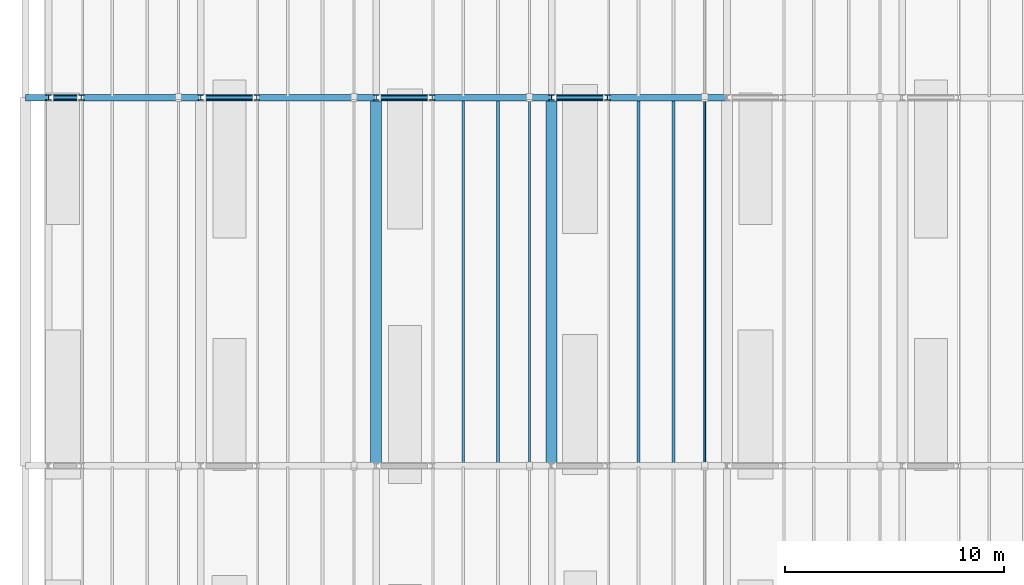
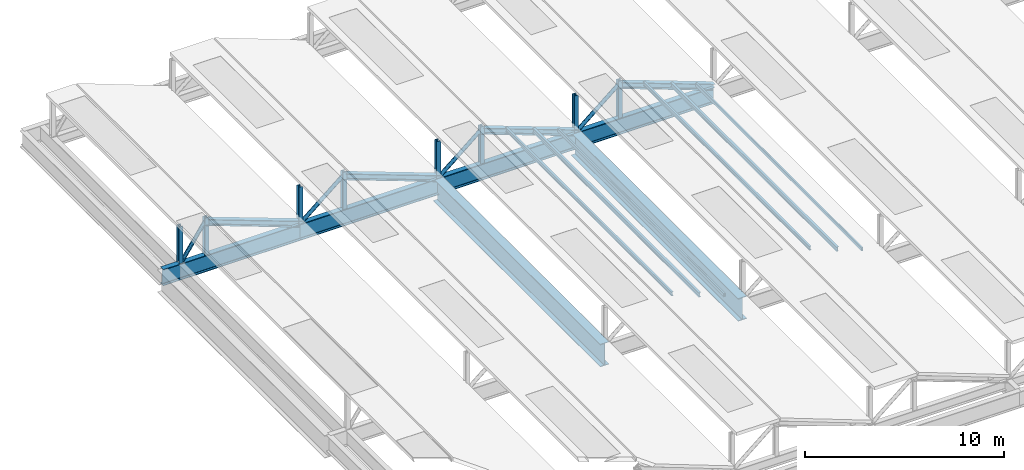
# One storey, part 3 of 14: 22 members, 6 beams.
"""IFC4 building model written with IfcOpenShell, lengths in metres."""

from ifc_helpers import new_model, si_unit, direction, frame, origin, origin_2d, place, context, subcontext, project, spatial, hollow_rectangle, hollow_circle, i_section, extrude, material, material_profile, profile_set, type_object, element, save


model = new_model("IFC4")

# Units and contexts
model_context = context("Model", 3, precision=1e-05, world=origin(), true_north=direction((0.0, 1.0)))
body_context = subcontext(model_context, "Body", "Model", "MODEL_VIEW")
ifc_project = project(units=[si_unit("LENGTHUNIT", "METRE"), si_unit("AREAUNIT", "SQUARE_METRE"), si_unit("VOLUMEUNIT", "CUBIC_METRE"), si_unit("PLANEANGLEUNIT", "RADIAN"), si_unit("MASSUNIT", "GRAM", prefix="KILO")], contexts=[model_context])

# Site, building, storey
site_placement = place(None, origin())
site = spatial("IfcSite", under=ifc_project, at=site_placement, CompositionType="ELEMENT")
building_placement = place(site_placement, origin())
building = spatial("IfcBuilding", under=site, at=building_placement, Name="Vekula Escarpment Museum", CompositionType="ELEMENT")
storey_placement = place(building_placement, frame((0.0, 0.0, 30.60009765625)))
storey = spatial("IfcBuildingStorey", under=building, at=storey_placement, Name="RF", CompositionType="ELEMENT", Elevation=30.60009765625)

# Beams
ifc_material_1 = material(Name="Steel S355", Category="steel")
ifc_material_profile_1 = material_profile(ifc_material_1, i_section(OverallWidth=0.300048828125, OverallDepth=1.0, WebThickness=0.01904296875, FlangeThickness=0.035888671875, FilletRadius=0.030029296875, at=origin_2d()), Name="HEB 1000")
ifc_profile_set_1 = profile_set([ifc_material_profile_1], Name="Steel S355")
beam_type_1 = type_object("IfcBeamType", Name="BM-TRUSS-CHORD-BOT", PredefinedType="BEAM", material=ifc_profile_set_1)
for number, where, z_axis, x_axis, name in (
    (1, (70.0, 76.39990234375, -2.75), (1.0, 0.0, 0.0), (0.0, 1.0, 0.0), "Roof Tie Girder RF 2444"),
    (2, (78.0, 76.39990234375, -2.75), (1.0, 0.0, 0.0), (0.0, 1.0, 0.0), "Roof Tie Girder RF 2445"),
    (3, (86.0, 76.39990234375, -2.75), (1.0, 0.0, 0.0), (0.0, 1.0, 0.0), "Roof Tie Girder RF 2446"),
    (4, (94.0, 76.39990234375, -2.75), (1.0, 0.0, 0.0), (0.0, 1.0, 0.0), "Roof Tie Girder RF 2447"),
):
    element("IfcBeam", number, at=place(storey_placement, frame(where, z_axis=z_axis, x_axis=x_axis)), inside=storey, type_object=beam_type_1, Name=name, PredefinedType="BEAM", context=body_context, shape_type="SweptSolid", body=[
        extrude(i_section(OverallWidth=0.300048828125, OverallDepth=1.0, WebThickness=0.01904296875, FlangeThickness=0.035888671875, FilletRadius=0.030029296875, at=origin_2d()), origin(), (0.0, 0.0, 1.0), 8.0),
    ])
ifc_material_2 = material(Name="Steel S355", Category="steel")
ifc_material_profile_2 = material_profile(ifc_material_2, i_section(OverallWidth=0.5, OverallDepth=1.39990234375, WebThickness=0.02392578125, FlangeThickness=0.0400390625, FilletRadius=0.02392578125, at=origin_2d()), Name="WPG 1400x500")
ifc_profile_set_2 = profile_set([ifc_material_profile_2], Name="Steel S355")
beam_type_2 = type_object("IfcBeamType", Name="BM-TRUSS-CHORD-TOP", PredefinedType="BEAM", material=ifc_profile_set_2)
for number, where, z_axis, x_axis, name in (
    (5, (86.0, 59.60009765625, -2.9501953125), (0.0, 1.0, 0.0), (-1.0, 0.0, 0.0), "Sawtooth Tie Girder RF 2481"),
    (6, (94.0, 59.60009765625, -2.9501953125), (0.0, 1.0, 0.0), (-1.0, 0.0, 0.0), "Sawtooth Tie Girder RF 2484"),
):
    element("IfcBeam", number, at=place(storey_placement, frame(where, z_axis=z_axis, x_axis=x_axis)), inside=storey, type_object=beam_type_2, Name=name, PredefinedType="BEAM", context=body_context, shape_type="SweptSolid", body=[
        extrude(i_section(OverallWidth=0.5, OverallDepth=1.39990234375, WebThickness=0.02392578125, FlangeThickness=0.0400390625, FilletRadius=0.02392578125, at=origin_2d()), origin(), (0.0, 0.0, 1.0), 16.7998046875),
    ])

# Members
ifc_material_3 = material(Name="Steel S355", Category="steel")
ifc_material_profile_3 = material_profile(ifc_material_3, i_section(OverallWidth=0.1201171875, OverallDepth=0.239990234375, WebThickness=0.006103515625, FlangeThickness=0.009765625, FilletRadius=0.014892578125, at=origin_2d()), Name="IPE 240")
ifc_profile_set_3 = profile_set([ifc_material_profile_3], Name="Steel S355")
member_type_1 = type_object("IfcMemberType", Name="MB-PURL-IPE240", PredefinedType="PURLIN", material=ifc_profile_set_3)
for number, where, z_axis, x_axis, name in (
    (7, (89.965087890625, 59.64990234375, -0.66015625), (0.0, 1.0, 0.0), (-1.0, 0.0, 0.0), "Sawtooth Roof Purlin 032"),
    (8, (97.965087890625, 59.64990234375, -0.66015625), (0.0, 1.0, 0.0), (-1.0, 0.0, 0.0), "Sawtooth Roof Purlin 045"),
):
    element("IfcMember", number, at=place(storey_placement, frame(where, z_axis=z_axis, x_axis=x_axis)), inside=storey, type_object=member_type_1, Name=name, PredefinedType="PURLIN", context=body_context, shape_type="SweptSolid", body=[
        extrude(i_section(OverallWidth=0.1201171875, OverallDepth=0.239990234375, WebThickness=0.006103515625, FlangeThickness=0.009765625, FilletRadius=0.014892578125, at=origin_2d()), origin(), (0.0, 0.0, 1.0), 16.7001953125),
    ])
ifc_material_4 = material(Name="Steel S355", Category="steel")
ifc_material_profile_4 = material_profile(ifc_material_4, i_section(OverallWidth=0.135009765625, OverallDepth=0.27001953125, WebThickness=0.006591796875, FlangeThickness=0.01025390625, FilletRadius=0.014892578125, at=origin_2d()), Name="IPE 270")
ifc_profile_set_4 = profile_set([ifc_material_profile_4], Name="Steel S355")
member_type_2 = type_object("IfcMemberType", Name="MB-PURL-IPE270", PredefinedType="PURLIN", material=ifc_profile_set_4)
for number, where, z_axis, x_axis, name in (
    (9, (91.554931640625, 59.64990234375, -1.275146484375), (0.0, 1.0, 0.0), (-1.0, 0.0, 0.0), "Sawtooth Roof Purlin 035"),
    (10, (99.554931640625, 59.64990234375, -1.275146484375), (0.0, 1.0, 0.0), (-1.0, 0.0, 0.0), "Sawtooth Roof Purlin 048"),
):
    element("IfcMember", number, at=place(storey_placement, frame(where, z_axis=z_axis, x_axis=x_axis)), inside=storey, type_object=member_type_2, Name=name, PredefinedType="PURLIN", context=body_context, shape_type="SweptSolid", body=[
        extrude(i_section(OverallWidth=0.135009765625, OverallDepth=0.27001953125, WebThickness=0.006591796875, FlangeThickness=0.01025390625, FilletRadius=0.014892578125, at=origin_2d()), origin(), (0.0, 0.0, 1.0), 16.7001953125),
    ])
ifc_material_5 = material(Name="Steel S355", Category="steel")
ifc_material_profile_5 = material_profile(ifc_material_5, hollow_rectangle(XDim=0.10009765625, YDim=0.199951171875, WallThickness=0.008056640625, InnerFilletRadius=0.008056640625, OuterFilletRadius=0.01611328125, at=origin_2d()), Name="RHS 200x100x8")
ifc_profile_set_5 = profile_set([ifc_material_profile_5], Name="Steel S355")
member_type_3 = type_object("IfcMemberType", Name="MB-PURL-RHS200", PredefinedType="PURLIN", material=ifc_profile_set_5)
for number, where, z_axis, x_axis, name in (
    (11, (92.986083984375, 59.64990234375, -1.780029296875), (0.0, 1.0, 0.0), (-1.0, 0.0, 0.0), "Sawtooth Roof Purlin 038"),
    (12, (100.986083984375, 59.64990234375, -1.780029296875), (0.0, 1.0, 0.0), (-1.0, 0.0, 0.0), "Sawtooth Roof Purlin 051"),
):
    element("IfcMember", number, at=place(storey_placement, frame(where, z_axis=z_axis, x_axis=x_axis)), inside=storey, type_object=member_type_3, Name=name, PredefinedType="PURLIN", context=body_context, shape_type="SweptSolid", body=[
        extrude(hollow_rectangle(XDim=0.10009765625, YDim=0.199951171875, WallThickness=0.008056640625, InnerFilletRadius=0.008056640625, OuterFilletRadius=0.01611328125, at=origin_2d()), origin(), (0.0, 0.0, 1.0), 16.7001953125),
    ])
ifc_material_6 = material(Name="Steel S355", Category="steel")
ifc_material_profile_6 = material_profile(ifc_material_6, i_section(OverallWidth=0.300048828125, OverallDepth=0.360107421875, WebThickness=0.012451171875, FlangeThickness=0.0224609375, FilletRadius=0.027099609375, at=origin_2d()), Name="HEB 360")
ifc_profile_set_6 = profile_set([ifc_material_profile_6], Name="Steel S355")
member_type_4 = type_object("IfcMemberType", Name="MB-SAW-CHORD", PredefinedType="CHORD", material=ifc_profile_set_6)
for number, where, z_axis, x_axis, name in (
    (13, (72.550048828125, 76.39990234375, -0.260009765625), (0.938223943436, 0.0, -0.346028657721), (0.0, 1.0, 0.0), "Sawtooth Rafter 003"),
    (14, (80.550048828125, 76.39990234375, -0.260009765625), (0.938223943436, 0.0, -0.346028657721), (0.0, 1.0, 0.0), "Sawtooth Rafter 016"),
    (15, (88.550048828125, 76.39990234375, -0.260009765625), (0.938223943436, 0.0, -0.346028657721), (0.0, 1.0, 0.0), "Sawtooth Rafter 029"),
    (16, (96.550048828125, 76.39990234375, -0.260009765625), (0.938223943436, 0.0, -0.346028657721), (0.0, 1.0, 0.0), "Sawtooth Rafter 042"),
):
    element("IfcMember", number, at=place(storey_placement, frame(where, z_axis=z_axis, x_axis=x_axis)), inside=storey, type_object=member_type_4, Name=name, PredefinedType="CHORD", context=body_context, shape_type="SweptSolid", body=[
        extrude(i_section(OverallWidth=0.300048828125, OverallDepth=0.360107421875, WebThickness=0.012451171875, FlangeThickness=0.0224609375, FilletRadius=0.027099609375, at=origin_2d()), origin(), (0.0, 0.0, 1.0), 5.808837890625),
    ])
ifc_material_7 = material(Name="Steel S355", Category="steel")
ifc_material_profile_7 = material_profile(ifc_material_7, hollow_circle(Radius=0.109619140625, WallThickness=0.010009765625, at=origin_2d()), Name="CHS 219.1x10")
ifc_profile_set_7 = profile_set([ifc_material_profile_7], Name="Steel S355")
member_type_5 = type_object("IfcMemberType", Name="MB-SAW-DIAG", PredefinedType="BRACE", material=ifc_profile_set_7)
member_placement = place(storey_placement, frame((71.1298828125, 76.39990234375, -2.27001953125), z_axis=(0.560421003416, 0.0, 0.828207883885), x_axis=(0.0, 1.0, 0.0)))
element("IfcMember", 17, at=member_placement, inside=storey, type_object=member_type_5, Name="Sawtooth Roof Truss Diagonal 003", PredefinedType="BRACE", context=body_context, shape_type="SweptSolid", body=[
    extrude(hollow_circle(Radius=0.109619140625, WallThickness=0.010009765625, at=origin_2d()), origin(), (0.0, 0.0, 1.0), 2.427001953125),
])
for number, where, z_axis, x_axis, name in (
    (18, (78.080078125, 76.39990234375, -2.27001953125), (0.767947002011, 0.0, 0.64051338948), (0.0, 1.0, 0.0), "Sawtooth Roof Truss Diagonal 016"),
    (19, (86.080078125, 76.39990234375, -2.27001953125), (0.767947002011, 0.0, 0.64051338948), (0.0, 1.0, 0.0), "Sawtooth Roof Truss Diagonal 029"),
    (20, (94.080078125, 76.39990234375, -2.27001953125), (0.767947002011, 0.0, 0.64051338948), (0.0, 1.0, 0.0), "Sawtooth Roof Truss Diagonal 042"),
):
    element("IfcMember", number, at=place(storey_placement, frame(where, z_axis=z_axis, x_axis=x_axis)), inside=storey, type_object=member_type_5, Name=name, PredefinedType="BRACE", context=body_context, shape_type="SweptSolid", body=[
        extrude(hollow_circle(Radius=0.109619140625, WallThickness=0.010009765625, at=origin_2d()), origin(), (0.0, 0.0, 1.0), 3.13818359375),
    ])
ifc_material_8 = material(Name="Steel S355", Category="steel")
ifc_material_profile_8 = material_profile(ifc_material_8, i_section(OverallWidth=0.239990234375, OverallDepth=0.239990234375, WebThickness=0.010009765625, FlangeThickness=0.01708984375, FilletRadius=0.02099609375, at=origin_2d()), Name="HEB 240")
ifc_profile_set_8 = profile_set([ifc_material_profile_8], Name="Steel S355")
member_type_6 = type_object("IfcMemberType", Name="MB-SAW-POST", PredefinedType="STRUT", material=ifc_profile_set_8)
for number, where, z_axis, x_axis, name in (
    (21, (71.050048828125, 76.39990234375, -2.27001953125), (0.0, 0.0, 1.0), (1.0, 0.0, 0.0), "Sawtooth North Post 003"),
    (22, (72.550048828125, 76.39990234375, -2.27001953125), (0.0, 0.0, 1.0), (1.0, 0.0, 0.0), "Sawtooth Monitor Post 003"),
    (23, (78.0, 76.39990234375, -2.27001953125), (0.0, 0.0, 1.0), (1.0, 0.0, 0.0), "Sawtooth North Post 016"),
    (24, (80.550048828125, 76.39990234375, -2.27001953125), (0.0, 0.0, 1.0), (1.0, 0.0, 0.0), "Sawtooth Monitor Post 016"),
    (25, (86.0, 76.39990234375, -2.27001953125), (0.0, 0.0, 1.0), (1.0, 0.0, 0.0), "Sawtooth North Post 029"),
    (26, (88.550048828125, 76.39990234375, -2.27001953125), (0.0, 0.0, 1.0), (1.0, 0.0, 0.0), "Sawtooth Monitor Post 029"),
    (27, (94.0, 76.39990234375, -2.27001953125), (0.0, 0.0, 1.0), (1.0, 0.0, 0.0), "Sawtooth North Post 042"),
    (28, (96.550048828125, 76.39990234375, -2.27001953125), (0.0, 0.0, 1.0), (1.0, 0.0, 0.0), "Sawtooth Monitor Post 042"),
):
    element("IfcMember", number, at=place(storey_placement, frame(where, z_axis=z_axis, x_axis=x_axis)), inside=storey, type_object=member_type_6, Name=name, PredefinedType="STRUT", context=body_context, shape_type="SweptSolid", body=[
        extrude(i_section(OverallWidth=0.239990234375, OverallDepth=0.239990234375, WebThickness=0.010009765625, FlangeThickness=0.01708984375, FilletRadius=0.02099609375, at=origin_2d()), origin(), (0.0, 0.0, 1.0), 2.2900390625),
    ])

save(model, "model.ifc")
